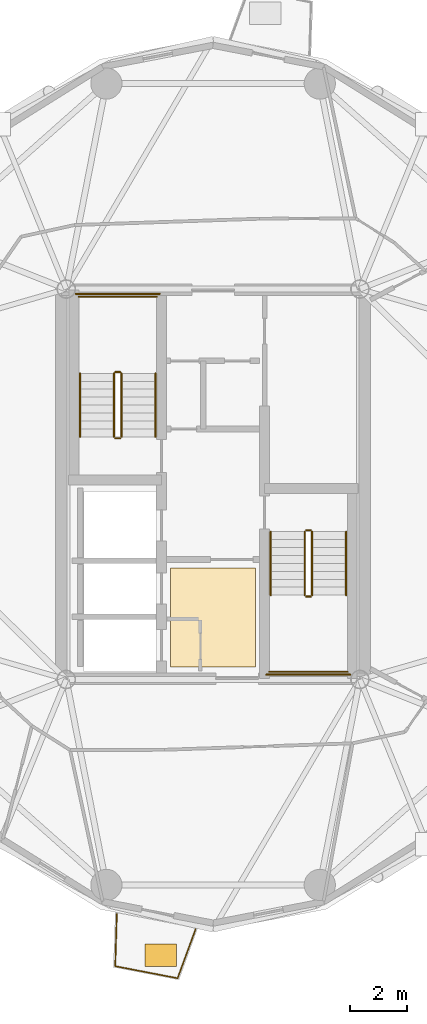
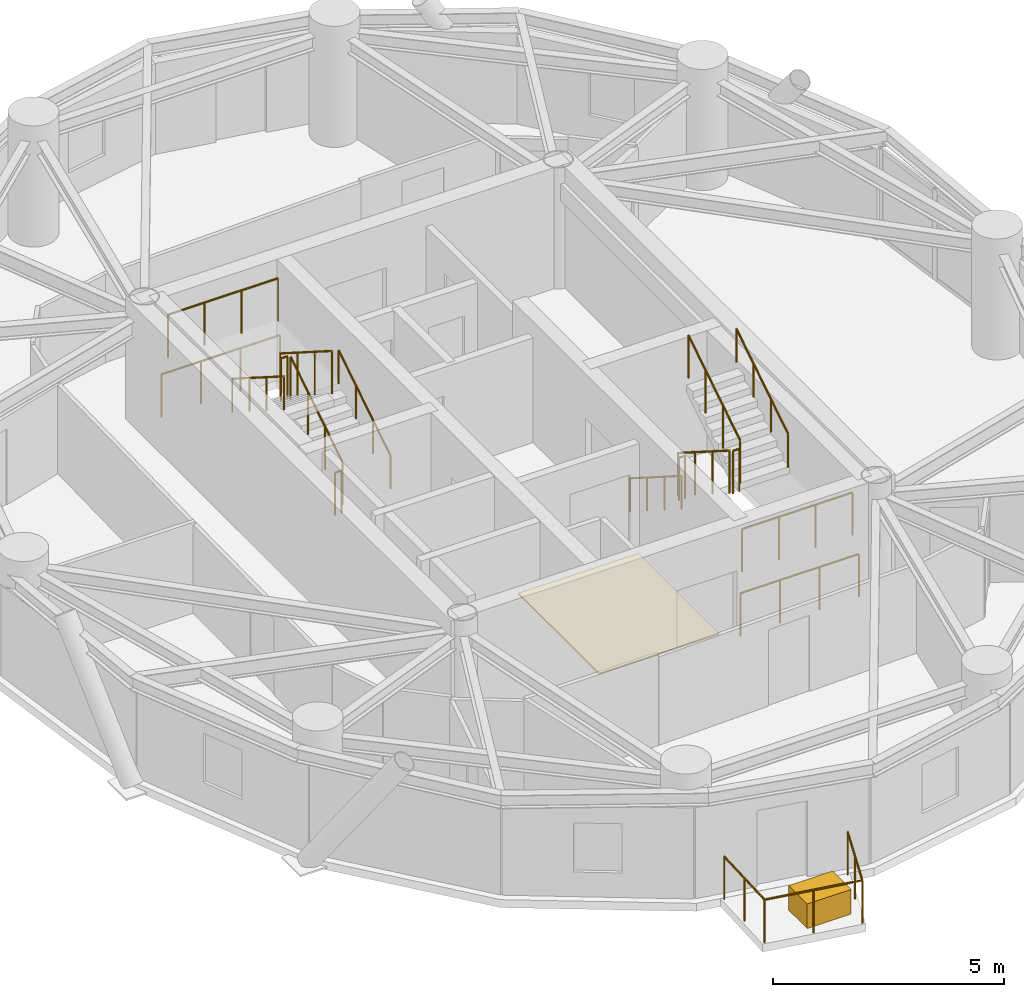
# One storey, part 13 of 15: 17 railings, 2 coverings.
"""IFC4 building model written with IfcOpenShell, lengths in metres."""

from ifc_helpers import new_model, si_unit, direction, frame, origin, origin_2d, place, context, subcontext, project, spatial, polyline, rectangle, circle, outline, extrude, source, transform, mapped, material, layer, layer_set, type_object, element, save


model = new_model("IFC4")

# Units and contexts
model_context = context("Model", 3, precision=1e-05, world=origin(), true_north=direction((0.0, 1.0)))
body_context = subcontext(model_context, "Body", "Model", "MODEL_VIEW")
ifc_project = project(units=[si_unit("LENGTHUNIT", "METRE"), si_unit("AREAUNIT", "SQUARE_METRE"), si_unit("VOLUMEUNIT", "CUBIC_METRE"), si_unit("PLANEANGLEUNIT", "RADIAN"), si_unit("MASSUNIT", "GRAM", prefix="KILO")], contexts=[model_context])

# Site, building, storey
site_placement = place(None, origin())
site = spatial("IfcSite", under=ifc_project, at=site_placement, CompositionType="ELEMENT")
building_placement = place(site_placement, origin())
building = spatial("IfcBuilding", under=site, at=building_placement, Name="Cununo Teusaquillo Station Towers", CompositionType="ELEMENT")
storey_placement = place(building_placement, frame((0.0, 0.0, 232.449951171875)))
storey = spatial("IfcBuildingStorey", under=building, at=storey_placement, Name="L74", CompositionType="ELEMENT", Elevation=232.449951171875)

# Covering
ifc_material_1 = material(Name="Polished basalt-chip terrazzo floor finish", Category="masonry")
ifc_layer_1 = layer(ifc_material_1, 0.034912109375)
ifc_layer_set_1 = layer_set([ifc_layer_1], Name="Polished basalt-chip terrazzo floor finish")
covering_type_1 = type_object("IfcCoveringType", Name="COV-FLR-TERR", PredefinedType="FLOORING", material=ifc_layer_set_1)
covering_1_placement = place(storey_placement, origin())
element("IfcCovering", 1, at=covering_1_placement, inside=storey, type_object=covering_type_1, Name="L74 Polished Terrazzo Floor Finish", PredefinedType="FLOORING", context=body_context, shape_type="SweptSolid", body=[
    extrude(outline(polyline([(15.0, 18.050048828125), (18.0, 18.050048828125), (18.0, 21.550048828125), (15.0, 21.550048828125), (15.0, 18.050048828125)])), origin(), (0.0, 0.0, 1.0), 0.03515625),
])

# Railings
ifc_material_2 = material(Name="Anodised dark bronze aluminium EN AW-6063-T6", Category="aluminium")
railing_type_1 = type_object("IfcRailingType", Name="RL-EXT-GUARD", PredefinedType="GUARDRAIL", material=ifc_material_2)
railing_1_placement = place(storey_placement, frame((15.884765625, 8.819580078125, 0.0)))
element("IfcRailing", 2, at=railing_1_placement, inside=storey, type_object=railing_type_1, Name="L74 Tower A Balcony Guardrail C14", PredefinedType="GUARDRAIL", context=body_context, shape_type="SweptSolid", body=[
    extrude(circle(Radius=0.02392578125, at=origin_2d()), frame((0.0, 0.0, 1.1259765625), z_axis=(-0.344196323776, -0.938897699805, 0.0), x_axis=(0.938897699805, -0.344196323776, 0.0)), (0.0, 0.0, 1.0), 1.844970703125),
    extrude(circle(Radius=0.02392578125, at=origin_2d()), frame((-0.635009765625, -1.732177734375, 1.1259765625), z_axis=(-0.981834932982, 0.18973709278, 0.0), x_axis=(-0.18973709278, -0.981834932982, 0.0)), (0.0, 0.0, 1.0), 2.239013671875),
    extrude(circle(Radius=0.02392578125, at=origin_2d()), frame((-2.833251953125, -1.307373046875, 1.1259765625), z_axis=(0.030305152758, 0.999540693377, 0.0), x_axis=(-0.999540693377, 0.030305152758, 0.0)), (0.0, 0.0, 1.0), 1.8447265625),
    extrude(circle(Radius=0.02099609375, at=origin_2d()), origin(), (0.0, 0.0, 1.0), 1.101806640625),
    extrude(circle(Radius=0.02099609375, at=origin_2d()), frame((-0.3173828125, -0.8662109375, 0.0)), (0.0, 0.0, 1.0), 1.101806640625),
    extrude(circle(Radius=0.02099609375, at=origin_2d()), frame((-0.635009765625, -1.732177734375, 0.0)), (0.0, 0.0, 1.0), 1.101806640625),
    extrude(circle(Radius=0.02099609375, at=origin_2d()), frame((-1.734130859375, -1.519775390625, 0.0)), (0.0, 0.0, 1.0), 1.101806640625),
    extrude(circle(Radius=0.02099609375, at=origin_2d()), frame((-2.833251953125, -1.307373046875, 0.0)), (0.0, 0.0, 1.0), 1.101806640625),
    extrude(circle(Radius=0.02099609375, at=origin_2d()), frame((-2.80517578125, -0.38525390625, 0.0)), (0.0, 0.0, 1.0), 1.101806640625),
    extrude(circle(Radius=0.02099609375, at=origin_2d()), frame((-2.77734375, 0.53662109375, 0.0)), (0.0, 0.0, 1.0), 1.101806640625),
])
ifc_material_3 = material(Name="Steel EN 10025-2 S355J2", Category="steel")
railing_type_2 = type_object("IfcRailingType", Name="RL-INT-GUARD", PredefinedType="GUARDRAIL", material=ifc_material_3)
railing_2_placement = place(storey_placement, frame((13.27001953125, 26.169921875, 0.177734375)))
element("IfcRailing", 3, at=railing_2_placement, inside=storey, type_object=railing_type_2, Name="L74 ST-T1-1 stair guard 1", PredefinedType="GUARDRAIL", context=body_context, shape_type="SweptSolid", body=[
    extrude(circle(Radius=0.02392578125, at=origin_2d()), frame((0.0, 0.0, 1.1259765625), z_axis=(0.0, 0.84418770128, 0.536047689118), x_axis=(-1.0, 0.0, 0.0)), (0.0, 0.0, 1.0), 2.6533203125),
    extrude(circle(Radius=0.02099609375, at=origin_2d()), origin(), (0.0, 0.0, 1.0), 1.101806640625),
    extrude(circle(Radius=0.02099609375, at=origin_2d()), frame((0.0, 0.74658203125, 0.47412109375)), (0.0, 0.0, 1.0), 1.101806640625),
    extrude(circle(Radius=0.02099609375, at=origin_2d()), frame((0.0, 1.493408203125, 0.9482421875)), (0.0, 0.0, 1.0), 1.101806640625),
    extrude(circle(Radius=0.02099609375, at=origin_2d()), frame((0.0, 2.239990234375, 1.42236328125)), (0.0, 0.0, 1.0), 1.101806640625),
])
railing_3_placement = place(storey_placement, frame((13.219970703125, 28.4599609375, 1.60009765625)))
element("IfcRailing", 4, at=railing_3_placement, inside=storey, type_object=railing_type_2, Name="L74 ST-T1-1 stair guard 2", PredefinedType="GUARDRAIL", context=body_context, shape_type="SweptSolid", body=[
    extrude(circle(Radius=0.02392578125, at=origin_2d()), frame((0.0, 0.0, 1.1259765625), z_axis=(-1.0, 0.0, 0.0), x_axis=(0.0, -1.0, 0.0)), (0.0, 0.0, 1.0), 0.159912109375),
    extrude(circle(Radius=0.02099609375, at=origin_2d()), origin(), (0.0, 0.0, 1.0), 1.101806640625),
    extrude(circle(Radius=0.02099609375, at=origin_2d()), frame((-0.159912109375, 0.0, 0.0)), (0.0, 0.0, 1.0), 1.101806640625),
])
railing_4_placement = place(storey_placement, frame((14.52001953125, 31.110107421875, 1.60009765625)))
element("IfcRailing", 5, at=railing_4_placement, inside=storey, type_object=railing_type_2, Name="L74 ST-T1-1 stair guard 3", PredefinedType="GUARDRAIL", context=body_context, shape_type="SweptSolid", body=[
    extrude(circle(Radius=0.02392578125, at=origin_2d()), frame((0.0, 0.0, 1.1259765625), z_axis=(-1.0, 0.0, 0.0), x_axis=(0.0, -1.0, 0.0)), (0.0, 0.0, 1.0), 2.760009765625),
    extrude(circle(Radius=0.02099609375, at=origin_2d()), origin(), (0.0, 0.0, 1.0), 1.101806640625),
    extrude(circle(Radius=0.02099609375, at=origin_2d()), frame((-0.919921875, 0.0, 0.0)), (0.0, 0.0, 1.0), 1.101806640625),
    extrude(circle(Radius=0.02099609375, at=origin_2d()), frame((-1.840087890625, 0.0, 0.0)), (0.0, 0.0, 1.0), 1.101806640625),
    extrude(circle(Radius=0.02099609375, at=origin_2d()), frame((-2.760009765625, 0.0, 0.0)), (0.0, 0.0, 1.0), 1.101806640625),
])
railing_5_placement = place(storey_placement, frame((13.010009765625, 28.409912109375, 1.77783203125)))
element("IfcRailing", 6, at=railing_5_placement, inside=storey, type_object=railing_type_2, Name="L74 ST-T1-1 stair guard 4", PredefinedType="GUARDRAIL", context=body_context, shape_type="SweptSolid", body=[
    extrude(circle(Radius=0.02392578125, at=origin_2d()), frame((0.0, 0.0, 1.1259765625), z_axis=(0.0, -0.8442293374, 0.53598211339), x_axis=(1.0, 0.0, 0.0)), (0.0, 0.0, 1.0), 2.6533203125),
    extrude(circle(Radius=0.02099609375, at=origin_2d()), origin(), (0.0, 0.0, 1.0), 1.101806640625),
    extrude(circle(Radius=0.02099609375, at=origin_2d()), frame((0.0, -0.74658203125, 0.47412109375)), (0.0, 0.0, 1.0), 1.101806640625),
    extrude(circle(Radius=0.02099609375, at=origin_2d()), frame((0.0, -1.493408203125, 0.947998046875)), (0.0, 0.0, 1.0), 1.101806640625),
    extrude(circle(Radius=0.02099609375, at=origin_2d()), frame((0.0, -2.239990234375, 1.422119140625)), (0.0, 0.0, 1.0), 1.101806640625),
])
railing_6_placement = place(storey_placement, frame((13.219970703125, 26.1201171875, 0.0)))
element("IfcRailing", 7, at=railing_6_placement, inside=storey, type_object=railing_type_2, Name="L74 ST-T1-1 stair guard 5", PredefinedType="GUARDRAIL", context=body_context, shape_type="SweptSolid", body=[
    extrude(circle(Radius=0.02392578125, at=origin_2d()), frame((0.0, 0.0, 1.1259765625), z_axis=(-1.0, 0.0, 0.0), x_axis=(0.0, -1.0, 0.0)), (0.0, 0.0, 1.0), 0.159912109375),
    extrude(circle(Radius=0.02099609375, at=origin_2d()), origin(), (0.0, 0.0, 1.0), 1.101806640625),
    extrude(circle(Radius=0.02099609375, at=origin_2d()), frame((-0.159912109375, 0.0, 0.0)), (0.0, 0.0, 1.0), 1.101806640625),
])
railing_7_placement = place(storey_placement, frame((14.6201171875, 31.2099609375, 0.0)))
element("IfcRailing", 8, at=railing_7_placement, inside=storey, type_object=railing_type_2, Name="L74 ST-T1-1 stair guard 6", PredefinedType="GUARDRAIL", context=body_context, shape_type="SweptSolid", body=[
    extrude(circle(Radius=0.02392578125, at=origin_2d()), frame((0.0, 0.0, 1.1259765625), z_axis=(-1.0, 0.0, 0.0), x_axis=(0.0, -1.0, 0.0)), (0.0, 0.0, 1.0), 2.960205078125),
    extrude(circle(Radius=0.02099609375, at=origin_2d()), origin(), (0.0, 0.0, 1.0), 1.101806640625),
    extrude(circle(Radius=0.02099609375, at=origin_2d()), frame((-0.98681640625, 0.0, 0.0)), (0.0, 0.0, 1.0), 1.101806640625),
    extrude(circle(Radius=0.02099609375, at=origin_2d()), frame((-1.973388671875, 0.0, 0.0)), (0.0, 0.0, 1.0), 1.101806640625),
    extrude(circle(Radius=0.02099609375, at=origin_2d()), frame((-2.960205078125, 0.0, 0.0)), (0.0, 0.0, 1.0), 1.101806640625),
])
railing_8_placement = place(storey_placement, frame((19.72998046875, 22.830078125, 0.177734375)))
element("IfcRailing", 9, at=railing_8_placement, inside=storey, type_object=railing_type_2, Name="L74 ST-T1-2 stair guard 1", PredefinedType="GUARDRAIL", context=body_context, shape_type="SweptSolid", body=[
    extrude(circle(Radius=0.02392578125, at=origin_2d()), frame((0.0, 0.0, 1.1259765625), z_axis=(0.0, -0.84418770128, 0.536047689118), x_axis=(1.0, 0.0, 0.0)), (0.0, 0.0, 1.0), 2.6533203125),
    extrude(circle(Radius=0.02099609375, at=origin_2d()), origin(), (0.0, 0.0, 1.0), 1.101806640625),
    extrude(circle(Radius=0.02099609375, at=origin_2d()), frame((0.0, -0.74658203125, 0.47412109375)), (0.0, 0.0, 1.0), 1.101806640625),
    extrude(circle(Radius=0.02099609375, at=origin_2d()), frame((0.0, -1.493408203125, 0.9482421875)), (0.0, 0.0, 1.0), 1.101806640625),
    extrude(circle(Radius=0.02099609375, at=origin_2d()), frame((0.0, -2.239990234375, 1.42236328125)), (0.0, 0.0, 1.0), 1.101806640625),
])
railing_9_placement = place(storey_placement, frame((19.780029296875, 20.5400390625, 1.60009765625)))
element("IfcRailing", 10, at=railing_9_placement, inside=storey, type_object=railing_type_2, Name="L74 ST-T1-2 stair guard 2", PredefinedType="GUARDRAIL", context=body_context, shape_type="SweptSolid", body=[
    extrude(circle(Radius=0.02392578125, at=origin_2d()), frame((0.0, 0.0, 1.1259765625), z_axis=(1.0, 0.0, 0.0), x_axis=(0.0, 1.0, 0.0)), (0.0, 0.0, 1.0), 0.159912109375),
    extrude(circle(Radius=0.02099609375, at=origin_2d()), origin(), (0.0, 0.0, 1.0), 1.101806640625),
    extrude(circle(Radius=0.02099609375, at=origin_2d()), frame((0.159912109375, 0.0, 0.0)), (0.0, 0.0, 1.0), 1.101806640625),
])
railing_10_placement = place(storey_placement, frame((18.47998046875, 17.889892578125, 1.60009765625)))
element("IfcRailing", 11, at=railing_10_placement, inside=storey, type_object=railing_type_2, Name="L74 ST-T1-2 stair guard 3", PredefinedType="GUARDRAIL", context=body_context, shape_type="SweptSolid", body=[
    extrude(circle(Radius=0.02392578125, at=origin_2d()), frame((0.0, 0.0, 1.1259765625), z_axis=(1.0, 0.0, 0.0), x_axis=(0.0, 1.0, 0.0)), (0.0, 0.0, 1.0), 2.760009765625),
    extrude(circle(Radius=0.02099609375, at=origin_2d()), origin(), (0.0, 0.0, 1.0), 1.101806640625),
    extrude(circle(Radius=0.02099609375, at=origin_2d()), frame((0.919921875, 0.0, 0.0)), (0.0, 0.0, 1.0), 1.101806640625),
    extrude(circle(Radius=0.02099609375, at=origin_2d()), frame((1.840087890625, 0.0, 0.0)), (0.0, 0.0, 1.0), 1.101806640625),
    extrude(circle(Radius=0.02099609375, at=origin_2d()), frame((2.760009765625, 0.0, 0.0)), (0.0, 0.0, 1.0), 1.101806640625),
])
railing_11_placement = place(storey_placement, frame((19.989990234375, 20.590087890625, 1.77783203125)))
element("IfcRailing", 12, at=railing_11_placement, inside=storey, type_object=railing_type_2, Name="L74 ST-T1-2 stair guard 4", PredefinedType="GUARDRAIL", context=body_context, shape_type="SweptSolid", body=[
    extrude(circle(Radius=0.02392578125, at=origin_2d()), frame((0.0, 0.0, 1.1259765625), z_axis=(0.0, 0.8442293374, 0.53598211339), x_axis=(-1.0, 0.0, 0.0)), (0.0, 0.0, 1.0), 2.6533203125),
    extrude(circle(Radius=0.02099609375, at=origin_2d()), origin(), (0.0, 0.0, 1.0), 1.101806640625),
    extrude(circle(Radius=0.02099609375, at=origin_2d()), frame((0.0, 0.74658203125, 0.47412109375)), (0.0, 0.0, 1.0), 1.101806640625),
    extrude(circle(Radius=0.02099609375, at=origin_2d()), frame((0.0, 1.493408203125, 0.947998046875)), (0.0, 0.0, 1.0), 1.101806640625),
    extrude(circle(Radius=0.02099609375, at=origin_2d()), frame((0.0, 2.239990234375, 1.422119140625)), (0.0, 0.0, 1.0), 1.101806640625),
])
railing_12_placement = place(storey_placement, frame((19.780029296875, 22.8798828125, 0.0)))
element("IfcRailing", 13, at=railing_12_placement, inside=storey, type_object=railing_type_2, Name="L74 ST-T1-2 stair guard 5", PredefinedType="GUARDRAIL", context=body_context, shape_type="SweptSolid", body=[
    extrude(circle(Radius=0.02392578125, at=origin_2d()), frame((0.0, 0.0, 1.1259765625), z_axis=(1.0, 0.0, 0.0), x_axis=(0.0, 1.0, 0.0)), (0.0, 0.0, 1.0), 0.159912109375),
    extrude(circle(Radius=0.02099609375, at=origin_2d()), origin(), (0.0, 0.0, 1.0), 1.101806640625),
    extrude(circle(Radius=0.02099609375, at=origin_2d()), frame((0.159912109375, 0.0, 0.0)), (0.0, 0.0, 1.0), 1.101806640625),
])
railing_13_placement = place(storey_placement, frame((18.3798828125, 17.7900390625, 0.0)))
element("IfcRailing", 14, at=railing_13_placement, inside=storey, type_object=railing_type_2, Name="L74 ST-T1-2 stair guard 6", PredefinedType="GUARDRAIL", context=body_context, shape_type="SweptSolid", body=[
    extrude(circle(Radius=0.02392578125, at=origin_2d()), frame((0.0, 0.0, 1.1259765625), z_axis=(1.0, 0.0, 0.0), x_axis=(0.0, 1.0, 0.0)), (0.0, 0.0, 1.0), 2.960205078125),
    extrude(circle(Radius=0.02099609375, at=origin_2d()), origin(), (0.0, 0.0, 1.0), 1.101806640625),
    extrude(circle(Radius=0.02099609375, at=origin_2d()), frame((0.98681640625, 0.0, 0.0)), (0.0, 0.0, 1.0), 1.101806640625),
    extrude(circle(Radius=0.02099609375, at=origin_2d()), frame((1.973388671875, 0.0, 0.0)), (0.0, 0.0, 1.0), 1.101806640625),
    extrude(circle(Radius=0.02099609375, at=origin_2d()), frame((2.960205078125, 0.0, 0.0)), (0.0, 0.0, 1.0), 1.101806640625),
])
ifc_material_4 = material(Name="Steel EN 10025-2 S355J2", Category="steel")
railing_type_3 = type_object("IfcRailingType", Name="RL-INT-HRAIL", PredefinedType="HANDRAIL", material=ifc_material_4)
railing_14_placement = place(storey_placement, frame((14.469970703125, 26.169921875, 0.177734375)))
element("IfcRailing", 15, at=railing_14_placement, inside=storey, type_object=railing_type_3, Name="L74 ST-T1-1 stair handrail 1", PredefinedType="HANDRAIL", context=body_context, shape_type="SweptSolid", body=[
    extrude(circle(Radius=0.02392578125, at=origin_2d()), frame((0.0, 0.0, 0.8759765625), z_axis=(0.0, 0.84418770128, 0.536047689118), x_axis=(-1.0, 0.0, 0.0)), (0.0, 0.0, 1.0), 2.6533203125),
    extrude(circle(Radius=0.02099609375, at=origin_2d()), origin(), (0.0, 0.0, 1.0), 0.851806640625),
    extrude(circle(Radius=0.02099609375, at=origin_2d()), frame((0.0, 0.74658203125, 0.47412109375)), (0.0, 0.0, 1.0), 0.851806640625),
    extrude(circle(Radius=0.02099609375, at=origin_2d()), frame((0.0, 1.493408203125, 0.9482421875)), (0.0, 0.0, 1.0), 0.851806640625),
    extrude(circle(Radius=0.02099609375, at=origin_2d()), frame((0.0, 2.239990234375, 1.42236328125)), (0.0, 0.0, 1.0), 0.851806640625),
])
railing_15_placement = place(storey_placement, frame((11.81005859375, 28.409912109375, 1.77783203125)))
element("IfcRailing", 16, at=railing_15_placement, inside=storey, type_object=railing_type_3, Name="L74 ST-T1-1 stair handrail 2", PredefinedType="HANDRAIL", context=body_context, shape_type="SweptSolid", body=[
    extrude(circle(Radius=0.02392578125, at=origin_2d()), frame((0.0, 0.0, 0.8759765625), z_axis=(0.0, -0.8442293374, 0.53598211339), x_axis=(1.0, 0.0, 0.0)), (0.0, 0.0, 1.0), 2.6533203125),
    extrude(circle(Radius=0.02099609375, at=origin_2d()), origin(), (0.0, 0.0, 1.0), 0.851806640625),
    extrude(circle(Radius=0.02099609375, at=origin_2d()), frame((0.0, -0.74658203125, 0.47412109375)), (0.0, 0.0, 1.0), 0.851806640625),
    extrude(circle(Radius=0.02099609375, at=origin_2d()), frame((0.0, -1.493408203125, 0.947998046875)), (0.0, 0.0, 1.0), 0.851806640625),
    extrude(circle(Radius=0.02099609375, at=origin_2d()), frame((0.0, -2.239990234375, 1.422119140625)), (0.0, 0.0, 1.0), 0.851806640625),
])
railing_16_placement = place(storey_placement, frame((18.530029296875, 22.830078125, 0.177734375)))
element("IfcRailing", 17, at=railing_16_placement, inside=storey, type_object=railing_type_3, Name="L74 ST-T1-2 stair handrail 1", PredefinedType="HANDRAIL", context=body_context, shape_type="SweptSolid", body=[
    extrude(circle(Radius=0.02392578125, at=origin_2d()), frame((0.0, 0.0, 0.8759765625), z_axis=(0.0, -0.84418770128, 0.536047689118), x_axis=(1.0, 0.0, 0.0)), (0.0, 0.0, 1.0), 2.6533203125),
    extrude(circle(Radius=0.02099609375, at=origin_2d()), origin(), (0.0, 0.0, 1.0), 0.851806640625),
    extrude(circle(Radius=0.02099609375, at=origin_2d()), frame((0.0, -0.74658203125, 0.47412109375)), (0.0, 0.0, 1.0), 0.851806640625),
    extrude(circle(Radius=0.02099609375, at=origin_2d()), frame((0.0, -1.493408203125, 0.9482421875)), (0.0, 0.0, 1.0), 0.851806640625),
    extrude(circle(Radius=0.02099609375, at=origin_2d()), frame((0.0, -2.239990234375, 1.42236328125)), (0.0, 0.0, 1.0), 0.851806640625),
])
railing_17_placement = place(storey_placement, frame((21.18994140625, 20.590087890625, 1.77783203125)))
element("IfcRailing", 18, at=railing_17_placement, inside=storey, type_object=railing_type_3, Name="L74 ST-T1-2 stair handrail 2", PredefinedType="HANDRAIL", context=body_context, shape_type="SweptSolid", body=[
    extrude(circle(Radius=0.02392578125, at=origin_2d()), frame((0.0, 0.0, 0.8759765625), z_axis=(0.0, 0.8442293374, 0.53598211339), x_axis=(-1.0, 0.0, 0.0)), (0.0, 0.0, 1.0), 2.6533203125),
    extrude(circle(Radius=0.02099609375, at=origin_2d()), origin(), (0.0, 0.0, 1.0), 0.851806640625),
    extrude(circle(Radius=0.02099609375, at=origin_2d()), frame((0.0, 0.74658203125, 0.47412109375)), (0.0, 0.0, 1.0), 0.851806640625),
    extrude(circle(Radius=0.02099609375, at=origin_2d()), frame((0.0, 1.493408203125, 0.947998046875)), (0.0, 0.0, 1.0), 0.851806640625),
    extrude(circle(Radius=0.02099609375, at=origin_2d()), frame((0.0, 2.239990234375, 1.422119140625)), (0.0, 0.0, 1.0), 0.851806640625),
])

# Covering
ifc_material_5 = material(Name="Architectural GRC planter shell and engineered root-zone substrate", Category="concrete")
ifc_layer_2 = layer(ifc_material_5, 0.64990234375)
ifc_layer_set_2 = layer_set([ifc_layer_2], Name="Architectural GRC planter shell and engineered root-zone substrate")
covering_type_2 = type_object("IfcCoveringType", Name="COV-TREE-PLANTER", PredefinedType="CLADDING", material=ifc_layer_set_2)
shared_shape = source(origin(), body_context, "Body", "SweptSolid", [
    extrude(rectangle(XDim=1.10009765625, YDim=0.800048828125, at=origin_2d()), origin(), (0.0, 0.0, 1.0), 0.64990234375),
])
covering_2_placement = place(storey_placement, frame((14.658203125, 7.897216796875, 0.0), z_axis=(0.0, 0.0, 1.0), x_axis=(1.0, 0.0, 0.0)))
element("IfcCovering", 19, at=covering_2_placement, inside=storey, type_object=covering_type_2, Name="L74 Tower A Balcony Tree PLANTER C14", PredefinedType="CLADDING", context=body_context, shape_type="MappedRepresentation", body=[
    mapped(shared_shape, transform((0.0, 0.0, 0.0), x_axis=(1.0, 0.0, 0.0), y_axis=(0.0, 1.0, 0.0), z_axis=(0.0, 0.0, 1.0), scale=1.0)),
])

save(model, "model.ifc")
